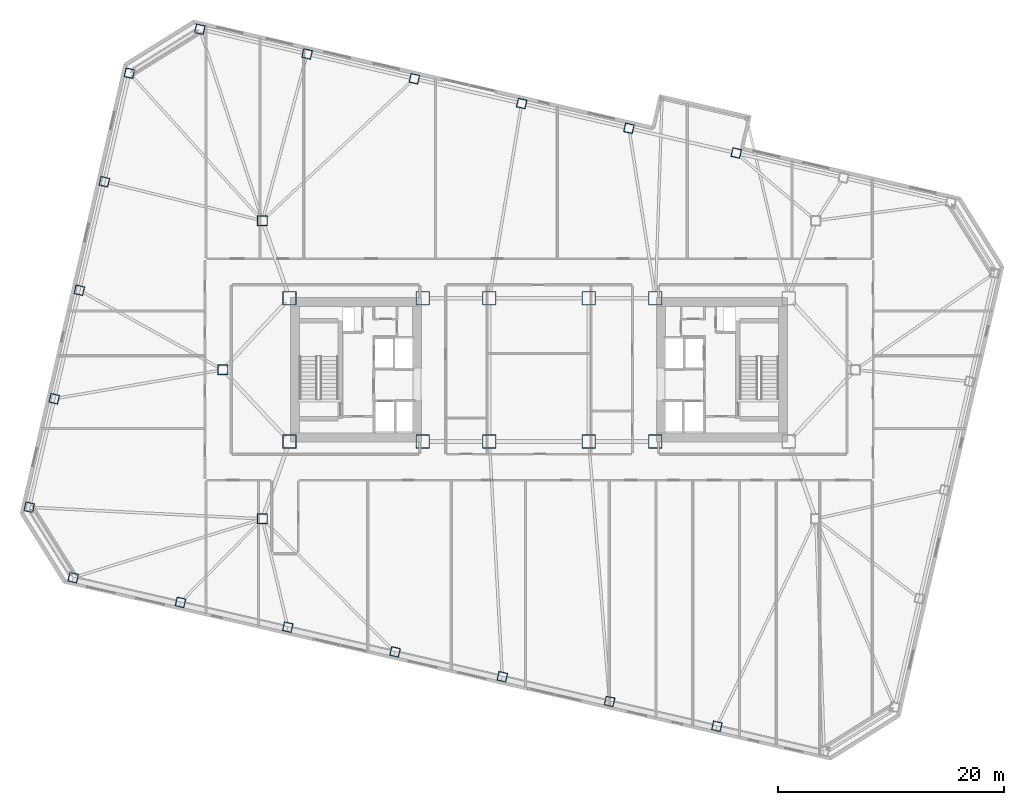
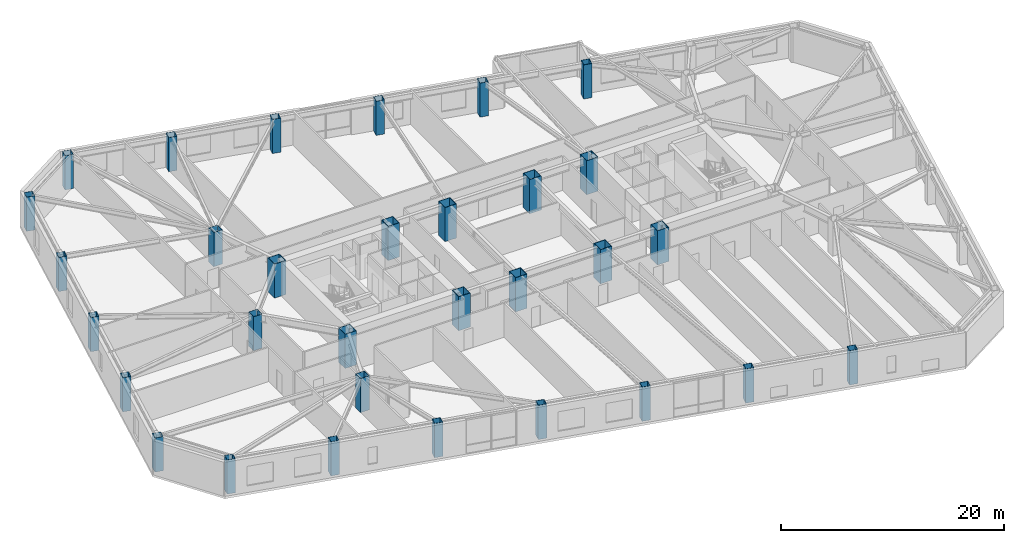
# One storey, part 1 of 21: 31 columns.
"""IFC4 building model written with IfcOpenShell, lengths in metres."""

from ifc_helpers import new_model, si_unit, direction, frame, origin, origin_2d, place, context, subcontext, project, spatial, hollow_rectangle, extrude, material, material_profile, profile_set, type_object, element, save


model = new_model("IFC4")

# Units and contexts
model_context = context("Model", 3, precision=1e-05, world=origin(), true_north=direction((0.0, 1.0)))
body_context = subcontext(model_context, "Body", "Model", "MODEL_VIEW")
ifc_project = project(units=[si_unit("LENGTHUNIT", "METRE"), si_unit("AREAUNIT", "SQUARE_METRE"), si_unit("VOLUMEUNIT", "CUBIC_METRE"), si_unit("PLANEANGLEUNIT", "RADIAN"), si_unit("MASSUNIT", "GRAM", prefix="KILO")], contexts=[model_context])

# Site, building, storey
site_placement = place(None, origin())
site = spatial("IfcSite", under=ifc_project, at=site_placement, CompositionType="ELEMENT")
building_placement = place(site_placement, origin())
building = spatial("IfcBuilding", under=site, at=building_placement, Name="Tavrogorsk Clinical Tower", CompositionType="ELEMENT")
storey_placement = place(building_placement, frame((0.0, 0.0, 71.39990234375)))
storey = spatial("IfcBuildingStorey", under=building, at=storey_placement, Name="L15", CompositionType="ELEMENT", Elevation=71.39990234375)

# Columns
ifc_material_1 = material(Name="Structural steel S440", Category="steel")
ifc_material_profile_1 = material_profile(ifc_material_1, hollow_rectangle(XDim=1.199951171875, YDim=1.199951171875, WallThickness=0.050048828125, at=origin_2d()), Name="BOX-1200x1200x50")
ifc_profile_set_1 = profile_set([ifc_material_profile_1], Name="Structural steel S440")
column_type_1 = type_object("IfcColumnType", Name="MegaCol_BOX1200", PredefinedType="COLUMN", material=ifc_profile_set_1)
for number, where, z_axis, x_axis, name in (
    (1, (-22.10009765625, -6.35009765625, 0.0), (0.0, 0.0, 1.0), (1.0, 0.0, 0.0), "L15 Mega Column MC-W1"),
    (2, (-22.10009765625, 6.35009765625, 0.0), (0.0, 0.0, 1.0), (1.0, 0.0, 0.0), "L15 Mega Column MC-W2"),
    (3, (-10.300048828125, -6.35009765625, 0.0), (0.0, 0.0, 1.0), (1.0, 0.0, 0.0), "L15 Mega Column MC-W3"),
    (4, (-10.300048828125, 6.35009765625, 0.0), (0.0, 0.0, 1.0), (1.0, 0.0, 0.0), "L15 Mega Column MC-W4"),
    (5, (10.300048828125, -6.35009765625, 0.0), (0.0, 0.0, 1.0), (1.0, 0.0, 0.0), "L15 Mega Column MC-E1"),
    (6, (10.300048828125, 6.35009765625, 0.0), (0.0, 0.0, 1.0), (1.0, 0.0, 0.0), "L15 Mega Column MC-E2"),
    (7, (-4.39990234375, -6.35009765625, 0.0), (0.0, 0.0, 1.0), (1.0, 0.0, 0.0), "L15 Mega Column MC-C1"),
    (8, (4.39990234375, -6.35009765625, 0.0), (0.0, 0.0, 1.0), (1.0, 0.0, 0.0), "L15 Mega Column MC-C2"),
    (9, (-4.39990234375, 6.35009765625, 0.0), (0.0, 0.0, 1.0), (1.0, 0.0, 0.0), "L15 Mega Column MC-C3"),
    (10, (4.39990234375, 6.35009765625, 0.0), (0.0, 0.0, 1.0), (1.0, 0.0, 0.0), "L15 Mega Column MC-C4"),
):
    element("IfcColumn", number, at=place(storey_placement, frame(where, z_axis=z_axis, x_axis=x_axis)), inside=storey, type_object=column_type_1, Name=name, PredefinedType="COLUMN", context=body_context, shape_type="SweptSolid", body=[
        extrude(hollow_rectangle(XDim=1.199951171875, YDim=1.199951171875, WallThickness=0.050048828125, at=origin_2d()), origin(), (0.0, 0.0, 1.0), 3.739990234375),
    ])
ifc_material_2 = material(Name="Structural steel S440", Category="steel")
ifc_material_profile_2 = material_profile(ifc_material_2, hollow_rectangle(XDim=0.89990234375, YDim=0.89990234375, WallThickness=0.0400390625, at=origin_2d()), Name="BOX-900x900x40")
ifc_profile_set_2 = profile_set([ifc_material_profile_2], Name="Structural steel S440")
column_type_2 = type_object("IfcColumnType", Name="MegaCol_BOX900", PredefinedType="COLUMN", material=ifc_profile_set_2)
for number, where, z_axis, x_axis, name in (
    (11, (-24.5, -13.199951171875, 0.0), (0.0, 0.0, 1.0), (1.0, 0.0, 0.0), "L15 Spine Pilotis Column MC-P1"),
    (12, (-24.5, 13.199951171875, 0.0), (0.0, 0.0, 1.0), (1.0, 0.0, 0.0), "L15 Spine Pilotis Column MC-P3"),
    (13, (-28.0, 0.0, 0.0), (0.0, 0.0, 1.0), (1.0, 0.0, 0.0), "L15 Spine Pilotis Column MC-P5"),
):
    element("IfcColumn", number, at=place(storey_placement, frame(where, z_axis=z_axis, x_axis=x_axis)), inside=storey, type_object=column_type_2, Name=name, PredefinedType="COLUMN", context=body_context, shape_type="SweptSolid", body=[
        extrude(hollow_rectangle(XDim=0.89990234375, YDim=0.89990234375, WallThickness=0.0400390625, at=origin_2d()), origin(), (0.0, 0.0, 1.0), 3.739990234375),
    ])
ifc_material_3 = material(Name="Structural steel S440", Category="steel")
ifc_material_profile_3 = material_profile(ifc_material_3, hollow_rectangle(XDim=0.800048828125, YDim=0.800048828125, WallThickness=0.035888671875, at=origin_2d()), Name="BOX-800x800x36")
ifc_profile_set_3 = profile_set([ifc_material_profile_3], Name="Structural steel S440")
column_type_3 = type_object("IfcColumnType", Name="PerimCol_B1_BOX800", PredefinedType="COLUMN", material=ifc_profile_set_3)
for number, where, z_axis, x_axis, name in (
    (14, (-41.251220703125, -18.406005859375, 0.0), (0.0, 0.0, 1.0), (0.974370064785, -0.224951054344, 0.0), "L15 Perimeter Column S1"),
    (15, (-31.75244140625, -20.598876953125, 0.0), (0.0, 0.0, 1.0), (0.974370064785, -0.224951054344, 0.0), "L15 Perimeter Column S2"),
    (16, (-22.25390625, -22.7919921875, 0.0), (0.0, 0.0, 1.0), (0.974370064785, -0.224951054344, 0.0), "L15 Perimeter Column S3"),
    (17, (-12.755126953125, -24.98486328125, 0.0), (0.0, 0.0, 1.0), (0.974370064785, -0.224951054344, 0.0), "L15 Perimeter Column S4"),
    (18, (-3.25634765625, -27.177734375, 0.0), (0.0, 0.0, 1.0), (0.974370064785, -0.224951054344, 0.0), "L15 Perimeter Column S5"),
    (19, (6.2421875, -29.37060546875, 0.0), (0.0, 0.0, 1.0), (0.974370064785, -0.224951054344, 0.0), "L15 Perimeter Column S6"),
    (20, (15.740966796875, -31.563720703125, 0.0), (0.0, 0.0, 1.0), (0.974370064785, -0.224951054344, 0.0), "L15 Perimeter Column S7"),
    (21, (17.453857421875, 19.19189453125, 0.0), (0.0, 0.0, 1.0), (0.974370064785, -0.224951054344, 0.0), "L15 Perimeter Column N3"),
    (22, (7.955078125, 21.384765625, 0.0), (0.0, 0.0, 1.0), (0.974370064785, -0.224951054344, 0.0), "L15 Perimeter Column N4"),
    (23, (-1.543701171875, 23.577880859375, 0.0), (0.0, 0.0, 1.0), (0.974370064785, -0.224951054344, 0.0), "L15 Perimeter Column N5"),
    (24, (-11.042236328125, 25.770751953125, 0.0), (0.0, 0.0, 1.0), (0.974370064785, -0.224951054344, 0.0), "L15 Perimeter Column N6"),
    (25, (-20.541015625, 27.963623046875, 0.0), (0.0, 0.0, 1.0), (0.974370064785, -0.224951054344, 0.0), "L15 Perimeter Column N7"),
    (26, (-30.039794921875, 30.156494140625, 0.0), (0.0, 0.0, 1.0), (0.974370064785, -0.224951054344, 0.0), "L15 Perimeter Column N8"),
    (27, (-36.276123046875, 26.259765625, 0.0), (0.0, 0.0, 1.0), (0.974370064785, -0.224951054344, 0.0), "L15 Perimeter Column W1"),
    (28, (-38.494140625, 16.65234375, 0.0), (0.0, 0.0, 1.0), (0.974370064785, -0.224951054344, 0.0), "L15 Perimeter Column W2"),
    (29, (-40.712158203125, 7.045166015625, 0.0), (0.0, 0.0, 1.0), (0.974370064785, -0.224951054344, 0.0), "L15 Perimeter Column W3"),
    (30, (-42.93017578125, -2.562255859375, 0.0), (0.0, 0.0, 1.0), (0.974370064785, -0.224951054344, 0.0), "L15 Perimeter Column W4"),
    (31, (-45.148193359375, -12.16943359375, 0.0), (0.0, 0.0, 1.0), (0.974370064785, -0.224951054344, 0.0), "L15 Perimeter Column W5"),
):
    element("IfcColumn", number, at=place(storey_placement, frame(where, z_axis=z_axis, x_axis=x_axis)), inside=storey, type_object=column_type_3, Name=name, PredefinedType="COLUMN", context=body_context, shape_type="SweptSolid", body=[
        extrude(hollow_rectangle(XDim=0.800048828125, YDim=0.800048828125, WallThickness=0.035888671875, at=origin_2d()), origin(), (0.0, 0.0, 1.0), 3.739990234375),
    ])

save(model, "model.ifc")
